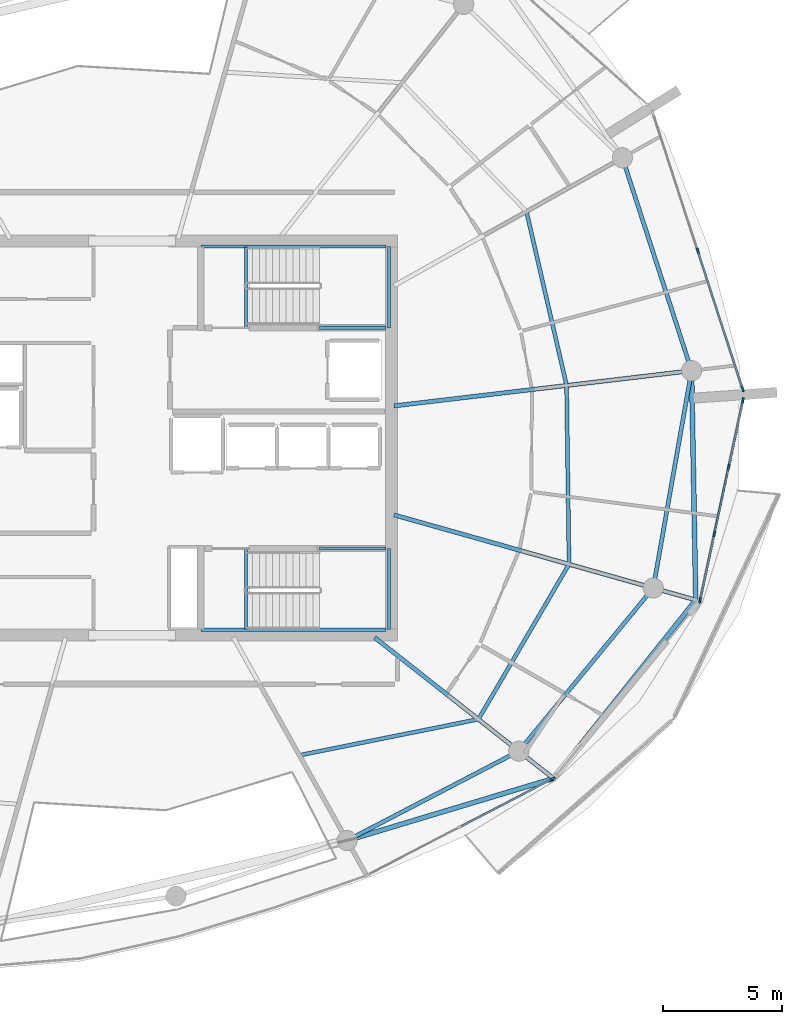
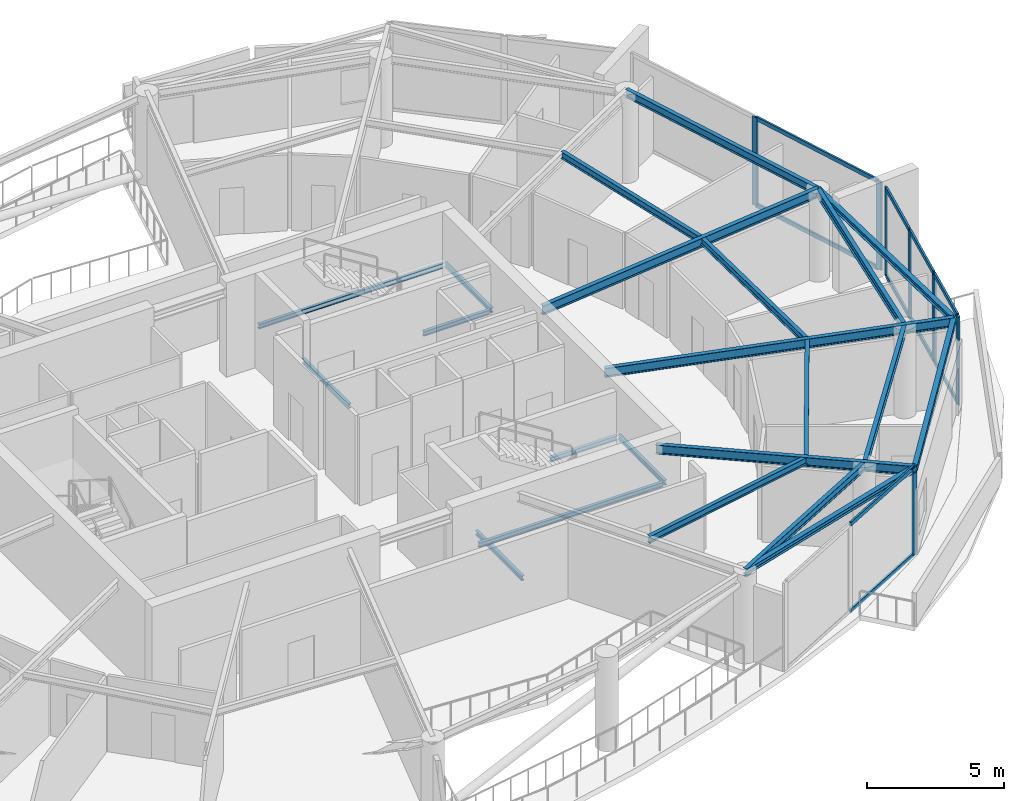
# One storey, part 6 of 22: 22 beams, 17 members, 3 elements without a shape of their own.
"""IFC4 building model written with IfcOpenShell, lengths in metres."""

from ifc_helpers import new_model, si_unit, direction, frame, origin, origin_2d, place, context, subcontext, project, spatial, rectangle, i_section, extrude, material, layer, layer_set, material_profile, profile_set, type_object, element, aggregate, save


model = new_model("IFC4")

# Units and contexts
model_context = context("Model", 3, precision=1e-05, world=origin(), true_north=direction((0.0, 1.0)))
body_context = subcontext(model_context, "Body", "Model", "MODEL_VIEW")
ifc_project = project(units=[si_unit("LENGTHUNIT", "METRE"), si_unit("AREAUNIT", "SQUARE_METRE"), si_unit("VOLUMEUNIT", "CUBIC_METRE"), si_unit("PLANEANGLEUNIT", "RADIAN"), si_unit("MASSUNIT", "GRAM", prefix="KILO")], contexts=[model_context])

# Site, building, storey
site_placement = place(None, origin())
site = spatial("IfcSite", under=ifc_project, at=site_placement, CompositionType="ELEMENT")
building_placement = place(site_placement, origin())
building = spatial("IfcBuilding", under=site, at=building_placement, Name="Kazma Halo Residences", CompositionType="ELEMENT")
storey_placement = place(building_placement, frame((0.0, 0.0, 326.300048828125)))
storey = spatial("IfcBuildingStorey", under=building, at=storey_placement, Name="L82", CompositionType="ELEMENT", Elevation=326.300048828125)

# Beams
ifc_material_1 = material(Name="Steel S355", Category="steel")
ifc_material_profile_1 = material_profile(ifc_material_1, i_section(OverallWidth=0.201904296875, OverallDepth=0.2470703125, WebThickness=0.00732421875, FlangeThickness=0.010986328125, FilletRadius=0.011962890625, at=origin_2d()), Name="W250x49.1")
ifc_profile_set_1 = profile_set([ifc_material_profile_1], Name="Steel S355")
beam_type_1 = type_object("IfcBeamType", Name="BM-BAL-CANT", PredefinedType="BEAM", material=ifc_profile_set_1)
beam_1_placement = place(storey_placement, frame((57.436767578125, 25.1494140625, 3.81640625), z_axis=(0.957652623349, 0.287926124193, 0.0), x_axis=(-0.287926124193, 0.957652623349, 0.0)))
element("IfcBeam", 1, at=beam_1_placement, inside=storey, type_object=beam_type_1, Name="L82 wave-balcony lead tie beam 13", PredefinedType="BEAM", context=body_context, shape_type="SweptSolid", body=[
    extrude(i_section(OverallWidth=0.201904296875, OverallDepth=0.2470703125, WebThickness=0.00732421875, FlangeThickness=0.010986328125, FilletRadius=0.011962890625, at=origin_2d()), origin(), (0.0, 0.0, 1.0), 9.0244140625),
])
beam_2_placement = place(storey_placement, frame((66.0791015625, 27.747802734375, 3.81640625), z_axis=(0.623310870646, 0.781974141858, 0.0), x_axis=(-0.781974141858, 0.623310870646, 0.0)))
element("IfcBeam", 2, at=beam_2_placement, inside=storey, type_object=beam_type_1, Name="L82 wave-balcony tie beam 14", PredefinedType="BEAM", context=body_context, shape_type="SweptSolid", body=[
    extrude(i_section(OverallWidth=0.201904296875, OverallDepth=0.2470703125, WebThickness=0.00732421875, FlangeThickness=0.010986328125, FilletRadius=0.011962890625, at=origin_2d()), origin(), (0.0, 0.0, 1.0), 9.55712890625),
])
beam_3_placement = place(storey_placement, frame((72.0361328125, 35.22119140625, 3.81640625), z_axis=(-0.018301708623, 0.999832509704, 0.0), x_axis=(-0.999832509704, -0.018301708623, 0.0)))
element("IfcBeam", 3, at=beam_3_placement, inside=storey, type_object=beam_type_1, Name="L82 wave-balcony tie beam 15", PredefinedType="BEAM", context=body_context, shape_type="SweptSolid", body=[
    extrude(i_section(OverallWidth=0.201904296875, OverallDepth=0.2470703125, WebThickness=0.00732421875, FlangeThickness=0.010986328125, FilletRadius=0.011962890625, at=origin_2d()), origin(), (0.0, 0.0, 1.0), 9.604736328125),
])
ifc_material_profile_2 = material_profile(ifc_material_1, i_section(OverallWidth=0.177978515625, OverallDepth=0.406982421875, WebThickness=0.0078125, FlangeThickness=0.0126953125, FilletRadius=0.013916015625, at=origin_2d()), Name="W410x60")
ifc_profile_set_2 = profile_set([ifc_material_profile_2], Name="Steel S355")
beam_type_2 = type_object("IfcBeamType", Name="BM-RAD-W410", PredefinedType="BEAM", material=ifc_profile_set_2)
beam_4_placement = place(storey_placement, frame((58.591796875, 33.64990234375, 3.736572265625), z_axis=(0.785338117696, -0.619067073017, 0.0), x_axis=(0.619067073017, 0.785338117696, 0.0)))
element("IfcBeam", 4, at=beam_4_placement, inside=storey, type_object=beam_type_2, Name="L82 radial floor beam 14", PredefinedType="BEAM", context=body_context, shape_type="SweptSolid", body=[
    extrude(i_section(OverallWidth=0.177978515625, OverallDepth=0.406982421875, WebThickness=0.0078125, FlangeThickness=0.0126953125, FilletRadius=0.013916015625, at=origin_2d()), origin(), (0.0, 0.0, 1.0), 9.533935546875),
])
beam_5_placement = place(storey_placement, frame((59.39990234375, 38.784912109375, 3.736572265625), z_axis=(0.962456527183, -0.271435873243, 0.0), x_axis=(0.271435873243, 0.962456527183, 0.0)))
element("IfcBeam", 5, at=beam_5_placement, inside=storey, type_object=beam_type_2, Name="L82 radial floor beam 15", PredefinedType="BEAM", context=body_context, shape_type="SweptSolid", body=[
    extrude(i_section(OverallWidth=0.177978515625, OverallDepth=0.406982421875, WebThickness=0.0078125, FlangeThickness=0.0126953125, FilletRadius=0.013916015625, at=origin_2d()), origin(), (0.0, 0.0, 1.0), 13.129150390625),
])
beam_6_placement = place(storey_placement, frame((59.39990234375, 43.349365234375, 3.736572265625), z_axis=(0.993067878665, 0.117542283299, 0.0), x_axis=(-0.117542283299, 0.993067878665, 0.0)))
element("IfcBeam", 6, at=beam_6_placement, inside=storey, type_object=beam_type_2, Name="L82 radial floor beam 16", PredefinedType="BEAM", context=body_context, shape_type="SweptSolid", body=[
    extrude(i_section(OverallWidth=0.177978515625, OverallDepth=0.406982421875, WebThickness=0.0078125, FlangeThickness=0.0126953125, FilletRadius=0.013916015625, at=origin_2d()), origin(), (0.0, 0.0, 1.0), 12.54736328125),
])
ifc_material_profile_3 = material_profile(ifc_material_1, i_section(OverallWidth=0.1650390625, OverallDepth=0.31005859375, WebThickness=0.005859375, FlangeThickness=0.009765625, FilletRadius=0.011962890625, at=origin_2d()), Name="W310x38.7")
ifc_profile_set_3 = profile_set([ifc_material_profile_3], Name="Steel S355")
beam_type_3 = type_object("IfcBeamType", Name="BM-SEC-W310B", PredefinedType="JOIST", material=ifc_profile_set_3)
beam_7_placement = place(storey_placement, frame((55.437255859375, 28.719482421875, 3.784912109375), z_axis=(0.980381248206, 0.197110649551, 0.0), x_axis=(-0.197110649551, 0.980381248206, 0.0)))
element("IfcBeam", 7, at=beam_7_placement, inside=storey, type_object=beam_type_3, Name="L82 circumferential floor joist 13", PredefinedType="JOIST", context=body_context, shape_type="SweptSolid", body=[
    extrude(i_section(OverallWidth=0.1650390625, OverallDepth=0.31005859375, WebThickness=0.005859375, FlangeThickness=0.009765625, FilletRadius=0.011962890625, at=origin_2d()), origin(), (0.0, 0.0, 1.0), 7.647216796875),
])
beam_8_placement = place(storey_placement, frame((62.934326171875, 30.226806640625, 3.784912109375), z_axis=(0.504678344784, 0.863307458734, 0.0), x_axis=(-0.863307458734, 0.504678344784, 0.0)))
element("IfcBeam", 8, at=beam_8_placement, inside=storey, type_object=beam_type_3, Name="L82 circumferential floor joist 14", PredefinedType="JOIST", context=body_context, shape_type="SweptSolid", body=[
    extrude(i_section(OverallWidth=0.1650390625, OverallDepth=0.31005859375, WebThickness=0.005859375, FlangeThickness=0.009765625, FilletRadius=0.011962890625, at=origin_2d()), origin(), (0.0, 0.0, 1.0), 7.51904296875),
])
beam_9_placement = place(storey_placement, frame((66.72900390625, 36.718017578125, 3.784912109375), z_axis=(-0.013629909387, 0.999907108471, 0.0), x_axis=(-0.999907108471, -0.013629909387, 0.0)))
element("IfcBeam", 9, at=beam_9_placement, inside=storey, type_object=beam_type_3, Name="L82 circumferential floor joist 15", PredefinedType="JOIST", context=body_context, shape_type="SweptSolid", body=[
    extrude(i_section(OverallWidth=0.1650390625, OverallDepth=0.31005859375, WebThickness=0.005859375, FlangeThickness=0.009765625, FilletRadius=0.011962890625, at=origin_2d()), origin(), (0.0, 0.0, 1.0), 7.4873046875),
])
beam_10_placement = place(storey_placement, frame((66.626953125, 44.20458984375, 3.784912109375), z_axis=(-0.224709269338, 0.974425853656, 0.0), x_axis=(-0.974425853656, -0.224709269338, 0.0)))
element("IfcBeam", 10, at=beam_10_placement, inside=storey, type_object=beam_type_3, Name="L82 circumferential floor joist 16", PredefinedType="JOIST", context=body_context, shape_type="SweptSolid", body=[
    extrude(i_section(OverallWidth=0.1650390625, OverallDepth=0.31005859375, WebThickness=0.005859375, FlangeThickness=0.009765625, FilletRadius=0.011962890625, at=origin_2d()), origin(), (0.0, 0.0, 1.0), 7.47705078125),
])
ifc_material_profile_4 = material_profile(ifc_material_1, i_section(OverallWidth=0.1708984375, OverallDepth=0.35498046875, WebThickness=0.007080078125, FlangeThickness=0.01171875, FilletRadius=0.013916015625, at=origin_2d()), Name="W360x51")
ifc_profile_set_4 = profile_set([ifc_material_profile_4], Name="Steel S355")
beam_type_4 = type_object("IfcBeamType", Name="BM-SPN-W360", PredefinedType="BEAM", material=ifc_profile_set_4)
beam_11_placement = place(storey_placement, frame((57.436767578125, 25.1494140625, 3.762451171875), z_axis=(0.886957269655, 0.461851493238, 0.0), x_axis=(-0.461851493238, 0.886957269655, 0.0)))
element("IfcBeam", 11, at=beam_11_placement, inside=storey, type_object=beam_type_4, Name="L82 perimeter ring beam 13", PredefinedType="BEAM", context=body_context, shape_type="SweptSolid", body=[
    extrude(i_section(OverallWidth=0.1708984375, OverallDepth=0.35498046875, WebThickness=0.007080078125, FlangeThickness=0.01171875, FilletRadius=0.013916015625, at=origin_2d()), origin(), (0.0, 0.0, 1.0), 8.105712890625),
])
beam_12_placement = place(storey_placement, frame((64.626220703125, 28.89306640625, 3.762451171875), z_axis=(0.636004986424, 0.771684946881, 0.0), x_axis=(-0.771684946881, 0.636004986424, 0.0)))
element("IfcBeam", 12, at=beam_12_placement, inside=storey, type_object=beam_type_4, Name="L82 perimeter ring beam 14", PredefinedType="BEAM", context=body_context, shape_type="SweptSolid", body=[
    extrude(i_section(OverallWidth=0.1708984375, OverallDepth=0.35498046875, WebThickness=0.007080078125, FlangeThickness=0.01171875, FilletRadius=0.013916015625, at=origin_2d()), origin(), (0.0, 0.0, 1.0), 8.85107421875),
])
beam_13_placement = place(storey_placement, frame((70.255615234375, 35.723388671875, 3.762451171875), z_axis=(0.173649692956, 0.984807485825, 0.0), x_axis=(-0.984807485825, 0.173649692956, 0.0)))
element("IfcBeam", 13, at=beam_13_placement, inside=storey, type_object=beam_type_4, Name="L82 perimeter ring beam 15", PredefinedType="BEAM", context=body_context, shape_type="SweptSolid", body=[
    extrude(i_section(OverallWidth=0.1708984375, OverallDepth=0.35498046875, WebThickness=0.007080078125, FlangeThickness=0.01171875, FilletRadius=0.013916015625, at=origin_2d()), origin(), (0.0, 0.0, 1.0), 9.2412109375),
])
beam_14_placement = place(storey_placement, frame((71.8603515625, 44.82421875, 3.762451171875), z_axis=(-0.309023062674, 0.951054544564, 0.0), x_axis=(-0.951054544564, -0.309023062674, 0.0)))
element("IfcBeam", 14, at=beam_14_placement, inside=storey, type_object=beam_type_4, Name="L82 perimeter ring beam 16", PredefinedType="BEAM", context=body_context, shape_type="SweptSolid", body=[
    extrude(i_section(OverallWidth=0.1708984375, OverallDepth=0.35498046875, WebThickness=0.007080078125, FlangeThickness=0.01171875, FilletRadius=0.013916015625, at=origin_2d()), origin(), (0.0, 0.0, 1.0), 9.37451171875),
])
ifc_material_profile_5 = material_profile(ifc_material_1, i_section(OverallWidth=0.133056640625, OverallDepth=0.20703125, WebThickness=0.005859375, FlangeThickness=0.00830078125, FilletRadius=0.010009765625, at=origin_2d()), Name="W200x26.6")
ifc_profile_set_5 = profile_set([ifc_material_profile_5], Name="Steel S355")
beam_type_5 = type_object("IfcBeamType", Name="BM-TRIM-W200", PredefinedType="BEAM", material=ifc_profile_set_5)
for number, where, z_axis, x_axis, name in (
    (15, (53.199951171875, 46.6201171875, -0.3701171875), (0.0, 1.0, 0.0), (-1.0, 0.0, 0.0), "L82 ST-02 floor landing support beam"),
    (16, (53.199951171875, 34.0, -0.3701171875), (0.0, 1.0, 0.0), (-1.0, 0.0, 0.0), "L82 ST-03 floor landing support beam"),
):
    element("IfcBeam", number, at=place(storey_placement, frame(where, z_axis=z_axis, x_axis=x_axis)), inside=storey, type_object=beam_type_5, Name=name, PredefinedType="BEAM", context=body_context, shape_type="SweptSolid", body=[
        extrude(i_section(OverallWidth=0.133056640625, OverallDepth=0.20703125, WebThickness=0.005859375, FlangeThickness=0.00830078125, FilletRadius=0.010009765625, at=origin_2d()), origin(), (0.0, 0.0, 1.0), 3.3798828125),
    ])
beam_15_placement = place(storey_placement, frame((51.31005859375, 50.02001953125, 1.794921875), z_axis=(1.0, 0.0, 0.0), x_axis=(0.0, 1.0, 0.0)))
element("IfcBeam", 17, at=beam_15_placement, inside=storey, type_object=beam_type_5, Name="L82 ST-02 landing north wall ledger", PredefinedType="BEAM", context=body_context, shape_type="SweptSolid", body=[
    extrude(i_section(OverallWidth=0.133056640625, OverallDepth=0.20703125, WebThickness=0.005859375, FlangeThickness=0.00830078125, FilletRadius=0.010009765625, at=origin_2d()), origin(), (0.0, 0.0, 1.0), 7.760009765625),
])
beam_16_placement = place(storey_placement, frame((56.280029296875, 46.6201171875, 1.794921875), z_axis=(1.0, 0.0, 0.0), x_axis=(0.0, 1.0, 0.0)))
element("IfcBeam", 18, at=beam_16_placement, inside=storey, type_object=beam_type_5, Name="L82 ST-02 landing south wall ledger", PredefinedType="BEAM", context=body_context, shape_type="SweptSolid", body=[
    extrude(i_section(OverallWidth=0.133056640625, OverallDepth=0.20703125, WebThickness=0.005859375, FlangeThickness=0.00830078125, FilletRadius=0.010009765625, at=origin_2d()), origin(), (0.0, 0.0, 1.0), 2.7900390625),
])
beam_17_placement = place(storey_placement, frame((59.18994140625, 46.6201171875, 1.794921875), z_axis=(0.0, 1.0, 0.0), x_axis=(-1.0, 0.0, 0.0)))
element("IfcBeam", 19, at=beam_17_placement, inside=storey, type_object=beam_type_5, Name="L82 ST-02 landing end wall ledger", PredefinedType="BEAM", context=body_context, shape_type="SweptSolid", body=[
    extrude(i_section(OverallWidth=0.133056640625, OverallDepth=0.20703125, WebThickness=0.005859375, FlangeThickness=0.00830078125, FilletRadius=0.010009765625, at=origin_2d()), origin(), (0.0, 0.0, 1.0), 3.39990234375),
])
beam_18_placement = place(storey_placement, frame((51.31005859375, 33.97998046875, 1.794921875), z_axis=(1.0, 0.0, 0.0), x_axis=(0.0, 1.0, 0.0)))
element("IfcBeam", 20, at=beam_18_placement, inside=storey, type_object=beam_type_5, Name="L82 ST-03 landing south wall ledger", PredefinedType="BEAM", context=body_context, shape_type="SweptSolid", body=[
    extrude(i_section(OverallWidth=0.133056640625, OverallDepth=0.20703125, WebThickness=0.005859375, FlangeThickness=0.00830078125, FilletRadius=0.010009765625, at=origin_2d()), origin(), (0.0, 0.0, 1.0), 7.760009765625),
])
beam_19_placement = place(storey_placement, frame((56.280029296875, 37.3798828125, 1.794921875), z_axis=(1.0, 0.0, 0.0), x_axis=(0.0, 1.0, 0.0)))
element("IfcBeam", 21, at=beam_19_placement, inside=storey, type_object=beam_type_5, Name="L82 ST-03 landing north wall ledger", PredefinedType="BEAM", context=body_context, shape_type="SweptSolid", body=[
    extrude(i_section(OverallWidth=0.133056640625, OverallDepth=0.20703125, WebThickness=0.005859375, FlangeThickness=0.00830078125, FilletRadius=0.010009765625, at=origin_2d()), origin(), (0.0, 0.0, 1.0), 2.7900390625),
])
beam_20_placement = place(storey_placement, frame((59.18994140625, 33.97998046875, 1.794921875), z_axis=(0.0, 1.0, 0.0), x_axis=(-1.0, 0.0, 0.0)))
element("IfcBeam", 22, at=beam_20_placement, inside=storey, type_object=beam_type_5, Name="L82 ST-03 landing end wall ledger", PredefinedType="BEAM", context=body_context, shape_type="SweptSolid", body=[
    extrude(i_section(OverallWidth=0.133056640625, OverallDepth=0.20703125, WebThickness=0.005859375, FlangeThickness=0.00830078125, FilletRadius=0.010009765625, at=origin_2d()), origin(), (0.0, 0.0, 1.0), 3.39990234375),
])

# Curtain wall, member
ifc_material_2 = material(Name="Aluminium AW-6063 T6 and Triple-Silver Low-E Glass", Category="aluminium")
ifc_layer = layer(ifc_material_2, 0.239990234375)
ifc_layer_set = layer_set([ifc_layer], Name="Aluminium AW-6063 T6 and Triple-Silver Low-E Glass")
curtain_wall_type = type_object("IfcCurtainWallType", Name="CW-SYS-6", PredefinedType="NOTDEFINED", material=ifc_layer_set)
curtain_wall_1_placement = place(storey_placement, origin())
curtain_wall_1 = element("IfcCurtainWall", 23, at=curtain_wall_1_placement, inside=storey, type_object=curtain_wall_type, Name="L82 unitised curtain wall B13", PredefinedType="NOTDEFINED")
ifc_material_3 = material(Name="Aluminium AW-6063 T6", Category="aluminium")
ifc_material_profile_6 = material_profile(ifc_material_3, rectangle(XDim=0.080078125, YDim=0.239990234375, at=origin_2d()), Name="CWM-80x240")
ifc_profile_set_6 = profile_set([ifc_material_profile_6], Name="Aluminium AW-6063 T6")
member_type_1 = type_object("IfcMemberType", Name="CW-SYS-6-MUL", PredefinedType="MULLION", material=ifc_profile_set_6)
member_1_placement = place(storey_placement, frame((66.041015625, 27.731201171875, 0.0), z_axis=(0.0, 0.0, 1.0), x_axis=(-0.460796020861, 0.887506071618, 0.0)))
member_1 = element("IfcMember", 24, at=member_1_placement, type_object=member_type_1, Name="CWS-6 mullion 3", PredefinedType="MULLION", context=body_context, shape_type="SweptSolid", body=[
    extrude(rectangle(XDim=0.080078125, YDim=0.239990234375, at=origin_2d()), origin(), (0.0, 0.0, 1.0), 3.93994140625),
])

# Curtain wall, members
curtain_wall_2_placement = place(storey_placement, origin())
curtain_wall_2 = element("IfcCurtainWall", 25, at=curtain_wall_2_placement, inside=storey, type_object=curtain_wall_type, Name="L82 unitised curtain wall B15", PredefinedType="NOTDEFINED")
member_2_placement = place(storey_placement, frame((72.2158203125, 35.2119140625, 0.0), z_axis=(0.0, 0.0, 1.0), x_axis=(-0.977760865363, 0.209722888986, 0.0)))
member_2 = element("IfcMember", 26, at=member_2_placement, type_object=member_type_1, Name="CWS-6 mullion 1", PredefinedType="MULLION", context=body_context, shape_type="SweptSolid", body=[
    extrude(rectangle(XDim=0.080078125, YDim=0.239990234375, at=origin_2d()), origin(), (0.0, 0.0, 1.0), 3.93994140625),
])
member_3_placement = place(storey_placement, frame((72.81103515625, 37.986572265625, 0.0), z_axis=(0.0, 0.0, 1.0), x_axis=(-0.977760865363, 0.209722888986, 0.0)))
member_3 = element("IfcMember", 27, at=member_3_placement, type_object=member_type_1, Name="CWS-6 mullion 2", PredefinedType="MULLION", context=body_context, shape_type="SweptSolid", body=[
    extrude(rectangle(XDim=0.080078125, YDim=0.239990234375, at=origin_2d()), origin(), (0.0, 0.0, 1.0), 3.93994140625),
])
member_4_placement = place(storey_placement, frame((73.41455078125, 40.80029296875, 0.0), z_axis=(0.0, 0.0, 1.0), x_axis=(-0.977760865363, 0.209722888986, 0.0)))
member_4 = element("IfcMember", 28, at=member_4_placement, type_object=member_type_1, Name="CWS-6 mullion 3", PredefinedType="MULLION", context=body_context, shape_type="SweptSolid", body=[
    extrude(rectangle(XDim=0.080078125, YDim=0.239990234375, at=origin_2d()), origin(), (0.0, 0.0, 1.0), 3.93994140625),
])
member_5_placement = place(storey_placement, frame((74.009765625, 43.574951171875, 0.0), z_axis=(0.0, 0.0, 1.0), x_axis=(-0.977760865363, 0.209722888986, 0.0)))
member_5 = element("IfcMember", 29, at=member_5_placement, type_object=member_type_1, Name="CWS-6 mullion 4", PredefinedType="MULLION", context=body_context, shape_type="SweptSolid", body=[
    extrude(rectangle(XDim=0.080078125, YDim=0.239990234375, at=origin_2d()), origin(), (0.0, 0.0, 1.0), 3.93994140625),
])

curtain_wall_3_placement = place(storey_placement, origin())
curtain_wall_3 = element("IfcCurtainWall", 30, at=curtain_wall_3_placement, inside=storey, type_object=curtain_wall_type, Name="L82 unitised curtain wall B16", PredefinedType="NOTDEFINED")
member_6_placement = place(storey_placement, frame((73.9990234375, 44.062255859375, 0.0), z_axis=(0.0, 0.0, 1.0), x_axis=(-0.951055886462, -0.309018932797, 0.0)))
member_6 = element("IfcMember", 31, at=member_6_placement, type_object=member_type_1, Name="CWS-6 mullion 1", PredefinedType="MULLION", context=body_context, shape_type="SweptSolid", body=[
    extrude(rectangle(XDim=0.080078125, YDim=0.239990234375, at=origin_2d()), origin(), (0.0, 0.0, 1.0), 3.93994140625),
])
member_7_placement = place(storey_placement, frame((72.12255859375, 49.837890625, 0.0), z_axis=(0.0, 0.0, 1.0), x_axis=(-0.951055886462, -0.309018932797, 0.0)))
member_7 = element("IfcMember", 32, at=member_7_placement, type_object=member_type_1, Name="CWS-6 mullion 2", PredefinedType="MULLION", context=body_context, shape_type="SweptSolid", body=[
    extrude(rectangle(XDim=0.080078125, YDim=0.239990234375, at=origin_2d()), origin(), (0.0, 0.0, 1.0), 3.93994140625),
])

# Member
ifc_material_profile_7 = material_profile(ifc_material_3, rectangle(XDim=0.080078125, YDim=0.179931640625, at=origin_2d()), Name="CWT-80x180")
ifc_profile_set_7 = profile_set([ifc_material_profile_7], Name="Aluminium AW-6063 T6")
member_type_2 = type_object("IfcMemberType", Name="CW-SYS-6-TRN", PredefinedType="USERDEFINED", material=ifc_profile_set_7)
member_8_placement = place(storey_placement, frame((62.201171875, 25.737548828125, 0.0400390625), z_axis=(0.887488013571, 0.4608307995, 0.0), x_axis=(-0.4608307995, 0.887488013571, 0.0)))
member_8 = element("IfcMember", 33, at=member_8_placement, type_object=member_type_2, Name="CWS-6 transom 2.1", ObjectType="TRANSOM", PredefinedType="USERDEFINED", context=body_context, shape_type="SweptSolid", body=[
    extrude(rectangle(XDim=0.080078125, YDim=0.179931640625, at=origin_2d()), origin(), (0.0, 0.0, 1.0), 4.286376953125),
])

member_9_placement = place(storey_placement, frame((62.201171875, 25.737548828125, 3.89990234375), z_axis=(0.887488013571, 0.4608307995, 0.0), x_axis=(-0.4608307995, 0.887488013571, 0.0)))
member_9 = element("IfcMember", 34, at=member_9_placement, type_object=member_type_2, Name="CWS-6 transom 2.2", ObjectType="TRANSOM", PredefinedType="USERDEFINED", context=body_context, shape_type="SweptSolid", body=[
    extrude(rectangle(XDim=0.080078125, YDim=0.179931640625, at=origin_2d()), origin(), (0.0, 0.0, 1.0), 4.286376953125),
])

aggregate(curtain_wall_1, [member_1, member_8, member_9])

member_10_placement = place(storey_placement, frame((72.224365234375, 35.2509765625, 0.0400390625), z_axis=(0.209716499477, 0.977762235846, 0.0), x_axis=(-0.977762235846, 0.209716499477, 0.0)))
member_10 = element("IfcMember", 35, at=member_10_placement, type_object=member_type_2, Name="CWS-6 transom 1.1", ObjectType="TRANSOM", PredefinedType="USERDEFINED", context=body_context, shape_type="SweptSolid", body=[
    extrude(rectangle(XDim=0.080078125, YDim=0.179931640625, at=origin_2d()), origin(), (0.0, 0.0, 1.0), 2.7578125),
])

member_11_placement = place(storey_placement, frame((72.224365234375, 35.2509765625, 3.89990234375), z_axis=(0.209716499477, 0.977762235846, 0.0), x_axis=(-0.977762235846, 0.209716499477, 0.0)))
member_11 = element("IfcMember", 36, at=member_11_placement, type_object=member_type_2, Name="CWS-6 transom 1.2", ObjectType="TRANSOM", PredefinedType="USERDEFINED", context=body_context, shape_type="SweptSolid", body=[
    extrude(rectangle(XDim=0.080078125, YDim=0.179931640625, at=origin_2d()), origin(), (0.0, 0.0, 1.0), 2.7578125),
])

member_12_placement = place(storey_placement, frame((72.8193359375, 38.025634765625, 0.0400390625), z_axis=(0.209773410621, 0.977750027459, 0.0), x_axis=(-0.977750027459, 0.209773410621, 0.0)))
member_12 = element("IfcMember", 37, at=member_12_placement, type_object=member_type_2, Name="CWS-6 transom 2.1", ObjectType="TRANSOM", PredefinedType="USERDEFINED", context=body_context, shape_type="SweptSolid", body=[
    extrude(rectangle(XDim=0.080078125, YDim=0.179931640625, at=origin_2d()), origin(), (0.0, 0.0, 1.0), 2.7978515625),
])

member_13_placement = place(storey_placement, frame((72.8193359375, 38.025634765625, 3.89990234375), z_axis=(0.209773410621, 0.977750027459, 0.0), x_axis=(-0.977750027459, 0.209773410621, 0.0)))
member_13 = element("IfcMember", 38, at=member_13_placement, type_object=member_type_2, Name="CWS-6 transom 2.2", ObjectType="TRANSOM", PredefinedType="USERDEFINED", context=body_context, shape_type="SweptSolid", body=[
    extrude(rectangle(XDim=0.080078125, YDim=0.179931640625, at=origin_2d()), origin(), (0.0, 0.0, 1.0), 2.7978515625),
])

member_14_placement = place(storey_placement, frame((73.4228515625, 40.83935546875, 0.0400390625), z_axis=(0.209716499477, 0.977762235846, 0.0), x_axis=(-0.977762235846, 0.209716499477, 0.0)))
member_14 = element("IfcMember", 39, at=member_14_placement, type_object=member_type_2, Name="CWS-6 transom 3.1", ObjectType="TRANSOM", PredefinedType="USERDEFINED", context=body_context, shape_type="SweptSolid", body=[
    extrude(rectangle(XDim=0.080078125, YDim=0.179931640625, at=origin_2d()), origin(), (0.0, 0.0, 1.0), 2.7578125),
])

member_15_placement = place(storey_placement, frame((73.4228515625, 40.83935546875, 3.89990234375), z_axis=(0.209716499477, 0.977762235846, 0.0), x_axis=(-0.977762235846, 0.209716499477, 0.0)))
member_15 = element("IfcMember", 40, at=member_15_placement, type_object=member_type_2, Name="CWS-6 transom 3.2", ObjectType="TRANSOM", PredefinedType="USERDEFINED", context=body_context, shape_type="SweptSolid", body=[
    extrude(rectangle(XDim=0.080078125, YDim=0.179931640625, at=origin_2d()), origin(), (0.0, 0.0, 1.0), 2.7578125),
])

aggregate(curtain_wall_2, [member_2, member_3, member_4, member_5, member_10, member_11, member_12, member_13, member_14, member_15])

member_16_placement = place(storey_placement, frame((73.986572265625, 44.100341796875, 0.0400390625), z_axis=(-0.309007770724, 0.951059513191, 0.0), x_axis=(-0.951059513191, -0.309007770724, 0.0)))
member_16 = element("IfcMember", 41, at=member_16_placement, type_object=member_type_2, Name="CWS-6 transom 1.1", ObjectType="TRANSOM", PredefinedType="USERDEFINED", context=body_context, shape_type="SweptSolid", body=[
    extrude(rectangle(XDim=0.080078125, YDim=0.179931640625, at=origin_2d()), origin(), (0.0, 0.0, 1.0), 5.99267578125),
])

member_17_placement = place(storey_placement, frame((73.986572265625, 44.100341796875, 3.89990234375), z_axis=(-0.309007770724, 0.951059513191, 0.0), x_axis=(-0.951059513191, -0.309007770724, 0.0)))
member_17 = element("IfcMember", 42, at=member_17_placement, type_object=member_type_2, Name="CWS-6 transom 1.2", ObjectType="TRANSOM", PredefinedType="USERDEFINED", context=body_context, shape_type="SweptSolid", body=[
    extrude(rectangle(XDim=0.080078125, YDim=0.179931640625, at=origin_2d()), origin(), (0.0, 0.0, 1.0), 5.99267578125),
])

aggregate(curtain_wall_3, [member_6, member_7, member_16, member_17])

save(model, "model.ifc")
